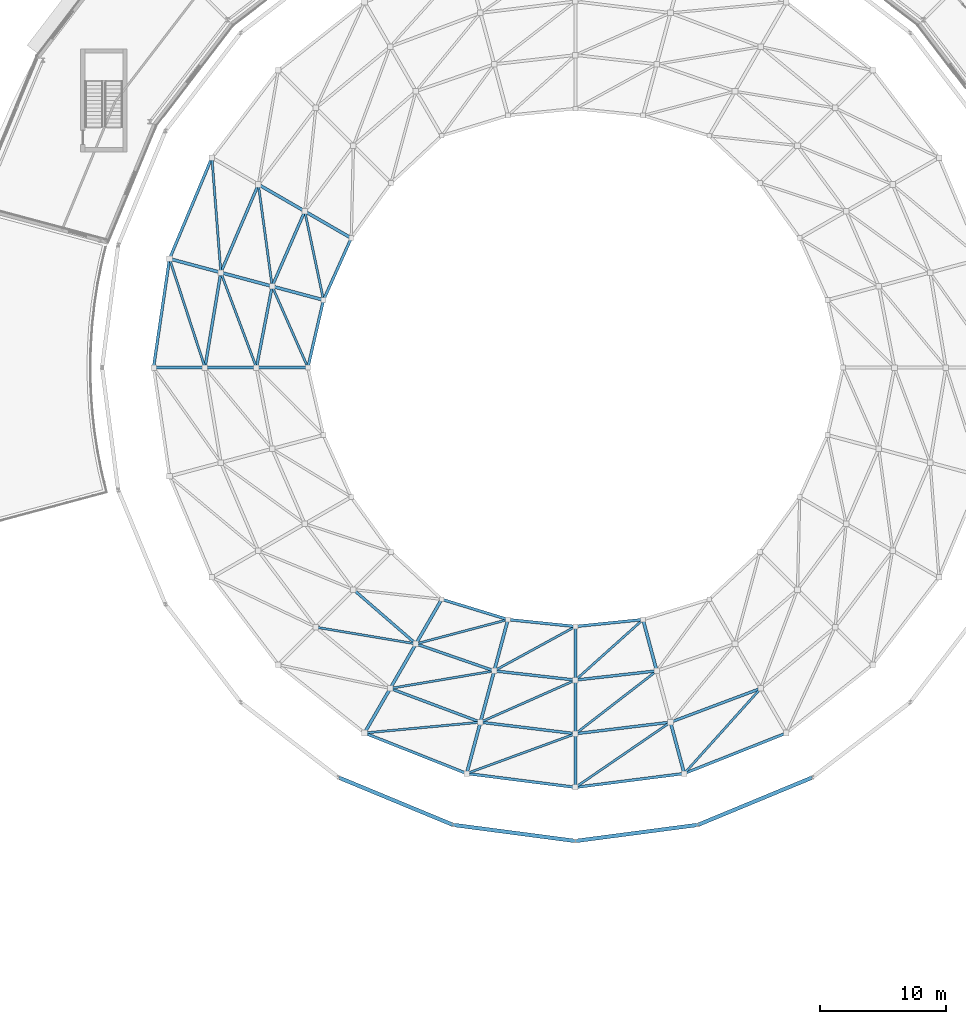
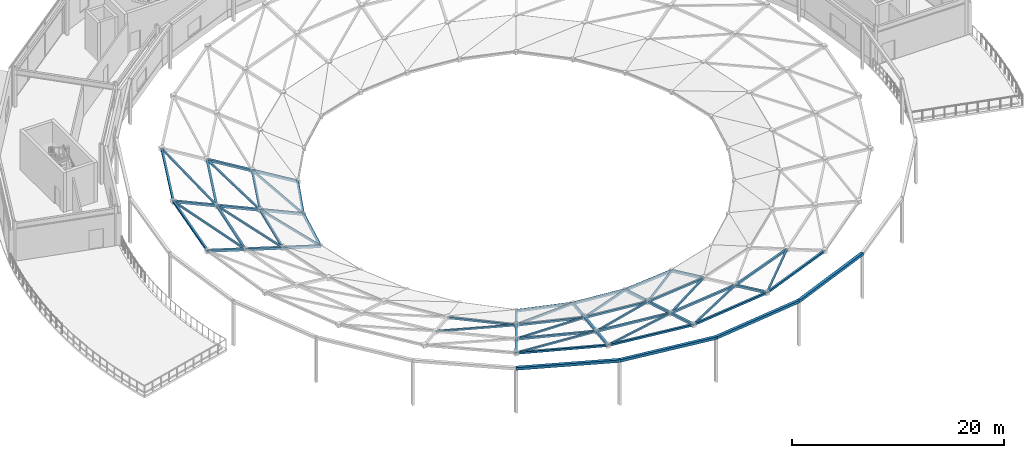
# One storey, part 16 of 89: 59 members, 4 beams.
"""IFC4 building model written with IfcOpenShell, lengths in metres."""

from ifc_helpers import new_model, si_unit, direction, frame, origin, origin_2d, place, context, subcontext, project, spatial, hollow_rectangle, extrude, material, material_profile, profile_set, type_object, element, save


model = new_model("IFC4")

# Units and contexts
model_context = context("Model", 3, precision=1e-05, world=origin(), true_north=direction((0.0, 1.0)))
body_context = subcontext(model_context, "Body", "Model", "MODEL_VIEW")
ifc_project = project(units=[si_unit("LENGTHUNIT", "METRE"), si_unit("AREAUNIT", "SQUARE_METRE"), si_unit("VOLUMEUNIT", "CUBIC_METRE"), si_unit("PLANEANGLEUNIT", "RADIAN"), si_unit("MASSUNIT", "GRAM", prefix="KILO")], contexts=[model_context])

# Site, building, storey
site_placement = place(None, origin())
site = spatial("IfcSite", under=ifc_project, at=site_placement, CompositionType="ELEMENT")
building_placement = place(site_placement, origin())
building = spatial("IfcBuilding", under=site, at=building_placement, Name="Almandine Court Research Institute", CompositionType="ELEMENT")
storey_placement = place(building_placement, frame((0.0, 0.0, 18.89990234375)))
storey = spatial("IfcBuildingStorey", under=building, at=storey_placement, Name="L04", CompositionType="ELEMENT", Elevation=18.89990234375)

# Beams
ifc_material = material(Name="Steel ASTM A500 Grade C", Category="steel")
ifc_material_profile_1 = material_profile(ifc_material, hollow_rectangle(XDim=0.300048828125, YDim=0.300048828125, WallThickness=0.011962890625, at=origin_2d()), Name="HSS 300x300x12")
ifc_profile_set_1 = profile_set([ifc_material_profile_1], Name="Steel ASTM A500 Grade C")
beam_type = type_object("IfcBeamType", Name="Beam-RB-01-E", PredefinedType="BEAM", material=ifc_profile_set_1)
beam_1_placement = place(storey_placement, frame((68.175048828125, 23.39404296875, 5.10009765625), z_axis=(0.92387967829, -0.382683080424, 0.0), x_axis=(0.382683080424, 0.92387967829, 0.0)))
element("IfcBeam", 1, at=beam_1_placement, inside=storey, type_object=beam_type, Name="Gridshell Outer Ring Beam ORB-17", PredefinedType="BEAM", context=body_context, shape_type="SweptSolid", body=[
    extrude(hollow_rectangle(XDim=0.300048828125, YDim=0.300048828125, WallThickness=0.011962890625, at=origin_2d()), origin(), (0.0, 0.0, 1.0), 9.827880859375),
])
for number, where, z_axis, x_axis, name in (
    (2, (77.2548828125, 19.633056640625, 5.10009765625), (0.991444993461, -0.130525188913, 0.0), (0.130525188913, 0.991444993461, 0.0), "Gridshell Outer Ring Beam ORB-18"),
    (3, (87.0, 18.35009765625, 5.10009765625), (0.991444993461, 0.130525188913, 0.0), (-0.130525188913, 0.991444993461, 0.0), "Gridshell Outer Ring Beam ORB-19"),
):
    element("IfcBeam", number, at=place(storey_placement, frame(where, z_axis=z_axis, x_axis=x_axis)), inside=storey, type_object=beam_type, Name=name, PredefinedType="BEAM", context=body_context, shape_type="SweptSolid", body=[
        extrude(hollow_rectangle(XDim=0.300048828125, YDim=0.300048828125, WallThickness=0.011962890625, at=origin_2d()), origin(), (0.0, 0.0, 1.0), 9.8291015625),
    ])
beam_2_placement = place(storey_placement, frame((96.7451171875, 19.633056640625, 5.10009765625), z_axis=(0.92387967829, 0.382683080424, 0.0), x_axis=(-0.382683080424, 0.92387967829, 0.0)))
element("IfcBeam", 4, at=beam_2_placement, inside=storey, type_object=beam_type, Name="Gridshell Outer Ring Beam ORB-20", PredefinedType="BEAM", context=body_context, shape_type="SweptSolid", body=[
    extrude(hollow_rectangle(XDim=0.300048828125, YDim=0.300048828125, WallThickness=0.011962890625, at=origin_2d()), origin(), (0.0, 0.0, 1.0), 9.827880859375),
])

# Members
ifc_material_profile_2 = material_profile(ifc_material, hollow_rectangle(XDim=0.25, YDim=0.25, WallThickness=0.010009765625, at=origin_2d()), Name="HSS 250x250x10")
ifc_profile_set_2 = profile_set([ifc_material_profile_2], Name="Steel ASTM A500 Grade C")
member_type_1 = type_object("IfcMemberType", Name="Mem-GS-AR1", PredefinedType="RAFTER", material=ifc_profile_set_2)
member_1_placement = place(storey_placement, frame((54.715087890625, 64.65087890625, 3.9931640625), z_axis=(0.925822235368, -0.248122573964, -0.285111165665), x_axis=(0.258866989029, 0.965912978478, 0.0)))
element("IfcMember", 5, at=member_1_placement, inside=storey, type_object=member_type_1, Name="Atrium Conical Gridshell Radial Rib R1-S11", PredefinedType="RAFTER", context=body_context, shape_type="SweptSolid", body=[
    extrude(hollow_rectangle(XDim=0.25, YDim=0.25, WallThickness=0.010009765625, at=origin_2d()), origin(), (0.0, 0.0, 1.0), 4.4091796875),
])
for number, where, z_axis, x_axis, name in (
    (6, (53.443115234375, 56.0, 3.9931640625), (0.955925607193, 0.0, -0.293608980639), (0.0, 1.0, 0.0), "Atrium Conical Gridshell Radial Rib R1-S12"),
    (7, (70.220947265625, 26.93896484375, 3.9931640625), (0.478141034543, 0.827751372383, -0.293613379471), (-0.865917322531, 0.500187155513, 0.0), "Atrium Conical Gridshell Radial Rib R1-S16"),
):
    element("IfcMember", number, at=place(storey_placement, frame(where, z_axis=z_axis, x_axis=x_axis)), inside=storey, type_object=member_type_1, Name=name, PredefinedType="RAFTER", context=body_context, shape_type="SweptSolid", body=[
        extrude(hollow_rectangle(XDim=0.25, YDim=0.25, WallThickness=0.010009765625, at=origin_2d()), origin(), (0.0, 0.0, 1.0), 4.281494140625),
    ])
member_2_placement = place(storey_placement, frame((78.34912109375, 23.715087890625, 3.9931640625), z_axis=(0.248122573964, 0.925822235368, -0.285111165665), x_axis=(-0.965912978478, 0.258866989029, 0.0)))
element("IfcMember", 8, at=member_2_placement, inside=storey, type_object=member_type_1, Name="Atrium Conical Gridshell Radial Rib R1-S17", PredefinedType="RAFTER", context=body_context, shape_type="SweptSolid", body=[
    extrude(hollow_rectangle(XDim=0.25, YDim=0.25, WallThickness=0.010009765625, at=origin_2d()), origin(), (0.0, 0.0, 1.0), 4.4091796875),
])
member_3_placement = place(storey_placement, frame((87.0, 22.614990234375, 3.9931640625), z_axis=(0.0, 0.959200962269, -0.282725156261), x_axis=(-1.0, 0.0, 0.0)))
element("IfcMember", 9, at=member_3_placement, inside=storey, type_object=member_type_1, Name="Atrium Conical Gridshell Radial Rib R1-S18", PredefinedType="RAFTER", context=body_context, shape_type="SweptSolid", body=[
    extrude(hollow_rectangle(XDim=0.25, YDim=0.25, WallThickness=0.010009765625, at=origin_2d()), origin(), (0.0, 0.0, 1.0), 4.4462890625),
])
member_4_placement = place(storey_placement, frame((95.65087890625, 23.715087890625, 3.9931640625), z_axis=(-0.248122573964, 0.925822235368, -0.285111165665), x_axis=(-0.965912978478, -0.258866989029, 0.0)))
element("IfcMember", 10, at=member_4_placement, inside=storey, type_object=member_type_1, Name="Atrium Conical Gridshell Radial Rib R1-S19", PredefinedType="RAFTER", context=body_context, shape_type="SweptSolid", body=[
    extrude(hollow_rectangle(XDim=0.25, YDim=0.25, WallThickness=0.010009765625, at=origin_2d()), origin(), (0.0, 0.0, 1.0), 4.4091796875),
])
member_5_placement = place(storey_placement, frame((61.781982421875, 70.56005859375, 2.736083984375), z_axis=(0.830610507345, -0.479741125317, -0.282727143671), x_axis=(0.500146931843, 0.865940556025, 0.0)))
element("IfcMember", 11, at=member_5_placement, inside=storey, type_object=member_type_1, Name="Atrium Conical Gridshell Radial Rib R2-S10", PredefinedType="RAFTER", context=body_context, shape_type="SweptSolid", body=[
    extrude(hollow_rectangle(XDim=0.25, YDim=0.25, WallThickness=0.010009765625, at=origin_2d()), origin(), (0.0, 0.0, 1.0), 4.4462890625),
])
member_6_placement = place(storey_placement, frame((58.797119140625, 63.556884765625, 2.736083984375), z_axis=(0.925782669721, -0.248186188634, -0.285184263619), x_axis=(0.258939233271, 0.965893613952, 0.0)))
element("IfcMember", 12, at=member_6_placement, inside=storey, type_object=member_type_1, Name="Atrium Conical Gridshell Radial Rib R2-S11", PredefinedType="RAFTER", context=body_context, shape_type="SweptSolid", body=[
    extrude(hollow_rectangle(XDim=0.25, YDim=0.25, WallThickness=0.010009765625, at=origin_2d()), origin(), (0.0, 0.0, 1.0), 4.407958984375),
])
for number, where, z_axis, x_axis, name in (
    (13, (57.535888671875, 56.0, 2.736083984375), (0.955930522489, 0.0, -0.293592977053), (0.0, 1.0, 0.0), "Atrium Conical Gridshell Radial Rib R2-S12"),
    (14, (72.26806640625, 30.48291015625, 2.736083984375), (0.477808253345, 0.827953895802, -0.293584092658), (-0.86612103393, 0.499834327136, 0.0), "Atrium Conical Gridshell Radial Rib R2-S16"),
):
    element("IfcMember", number, at=place(storey_placement, frame(where, z_axis=z_axis, x_axis=x_axis)), inside=storey, type_object=member_type_1, Name=name, PredefinedType="RAFTER", context=body_context, shape_type="SweptSolid", body=[
        extrude(hollow_rectangle(XDim=0.25, YDim=0.25, WallThickness=0.010009765625, at=origin_2d()), origin(), (0.0, 0.0, 1.0), 4.28173828125),
    ])
member_7_placement = place(storey_placement, frame((79.443115234375, 27.797119140625, 2.736083984375), z_axis=(0.248186188634, 0.925782669721, -0.285184263619), x_axis=(-0.965893613952, 0.258939233271, 0.0)))
element("IfcMember", 15, at=member_7_placement, inside=storey, type_object=member_type_1, Name="Atrium Conical Gridshell Radial Rib R2-S17", PredefinedType="RAFTER", context=body_context, shape_type="SweptSolid", body=[
    extrude(hollow_rectangle(XDim=0.25, YDim=0.25, WallThickness=0.010009765625, at=origin_2d()), origin(), (0.0, 0.0, 1.0), 4.407958984375),
])
for number, where, z_axis, x_axis, name in (
    (16, (87.0, 26.8798828125, 2.736083984375), (0.0, 0.959205350971, -0.282710266294), (-1.0, 0.0, 0.0), "Atrium Conical Gridshell Radial Rib R2-S18"),
    (17, (65.47509765625, 68.427001953125, 1.47900390625), (0.830710375587, -0.479484052214, -0.282869785527), (0.499900842016, 0.866082645105, 0.0), "Atrium Conical Gridshell Radial Rib R3-S10"),
):
    element("IfcMember", number, at=place(storey_placement, frame(where, z_axis=z_axis, x_axis=x_axis)), inside=storey, type_object=member_type_1, Name=name, PredefinedType="RAFTER", context=body_context, shape_type="SweptSolid", body=[
        extrude(hollow_rectangle(XDim=0.25, YDim=0.25, WallThickness=0.010009765625, at=origin_2d()), origin(), (0.0, 0.0, 1.0), 4.446533203125),
    ])
member_8_placement = place(storey_placement, frame((62.8779296875, 62.462890625, 1.47900390625), z_axis=(0.925841938996, -0.247850987975, -0.285283353451), x_axis=(0.258597465656, 0.965985171085, 0.0)))
element("IfcMember", 18, at=member_8_placement, inside=storey, type_object=member_type_1, Name="Atrium Conical Gridshell Radial Rib R3-S11", PredefinedType="RAFTER", context=body_context, shape_type="SweptSolid", body=[
    extrude(hollow_rectangle(XDim=0.25, YDim=0.25, WallThickness=0.010009765625, at=origin_2d()), origin(), (0.0, 0.0, 1.0), 4.408935546875),
])
member_9_placement = place(storey_placement, frame((61.62890625, 56.0, 1.47900390625), z_axis=(0.955862817896, 0.0, -0.293813330815), x_axis=(0.0, 1.0, 0.0)))
element("IfcMember", 19, at=member_9_placement, inside=storey, type_object=member_type_1, Name="Atrium Conical Gridshell Radial Rib R3-S12", PredefinedType="RAFTER", context=body_context, shape_type="SweptSolid", body=[
    extrude(hollow_rectangle(XDim=0.25, YDim=0.25, WallThickness=0.010009765625, at=origin_2d()), origin(), (0.0, 0.0, 1.0), 4.281005859375),
])
member_10_placement = place(storey_placement, frame((74.31396484375, 34.028076171875, 1.47900390625), z_axis=(0.478117013059, 0.827709786711, -0.293769690075), x_axis=(-0.865917322531, 0.500187155513, 0.0)))
element("IfcMember", 20, at=member_10_placement, inside=storey, type_object=member_type_1, Name="Atrium Conical Gridshell Radial Rib R3-S16", PredefinedType="RAFTER", context=body_context, shape_type="SweptSolid", body=[
    extrude(hollow_rectangle(XDim=0.25, YDim=0.25, WallThickness=0.010009765625, at=origin_2d()), origin(), (0.0, 0.0, 1.0), 4.28173828125),
])
member_11_placement = place(storey_placement, frame((80.537109375, 31.8779296875, 1.47900390625), z_axis=(0.247850987975, 0.925841938996, -0.285283353451), x_axis=(-0.965985171085, 0.258597465656, 0.0)))
element("IfcMember", 21, at=member_11_placement, inside=storey, type_object=member_type_1, Name="Atrium Conical Gridshell Radial Rib R3-S17", PredefinedType="RAFTER", context=body_context, shape_type="SweptSolid", body=[
    extrude(hollow_rectangle(XDim=0.25, YDim=0.25, WallThickness=0.010009765625, at=origin_2d()), origin(), (0.0, 0.0, 1.0), 4.408935546875),
])
member_12_placement = place(storey_placement, frame((87.0, 31.14501953125, 1.47900390625), z_axis=(0.0, 0.959156280225, -0.282876704775), x_axis=(-1.0, 0.0, 0.0)))
element("IfcMember", 22, at=member_12_placement, inside=storey, type_object=member_type_1, Name="Atrium Conical Gridshell Radial Rib R3-S18", PredefinedType="RAFTER", context=body_context, shape_type="SweptSolid", body=[
    extrude(hollow_rectangle(XDim=0.25, YDim=0.25, WallThickness=0.010009765625, at=origin_2d()), origin(), (0.0, 0.0, 1.0), 4.446533203125),
])
member_13_placement = place(storey_placement, frame((93.462890625, 31.8779296875, 1.47900390625), z_axis=(-0.247850987975, 0.925841938996, -0.285283353451), x_axis=(-0.965985171085, -0.258597465656, 0.0)))
element("IfcMember", 23, at=member_13_placement, inside=storey, type_object=member_type_1, Name="Atrium Conical Gridshell Radial Rib R3-S19", PredefinedType="RAFTER", context=body_context, shape_type="SweptSolid", body=[
    extrude(hollow_rectangle(XDim=0.25, YDim=0.25, WallThickness=0.010009765625, at=origin_2d()), origin(), (0.0, 0.0, 1.0), 4.408935546875),
])
ifc_material_profile_3 = material_profile(ifc_material, hollow_rectangle(XDim=0.179931640625, YDim=0.179931640625, WallThickness=0.008056640625, at=origin_2d()), Name="HSS 180x180x8")
ifc_profile_set_3 = profile_set([ifc_material_profile_3], Name="Steel ASTM A500 Grade C")
member_type_2 = type_object("IfcMemberType", Name="Mem-GS-BR1", PredefinedType="BRACE", material=ifc_profile_set_3)
member_14_placement = place(storey_placement, frame((58.087890625, 72.69189453125, 3.9931640625), z_axis=(0.076687175308, -0.98774665697, -0.13592504842), x_axis=(0.996999688176, 0.077405566832, 0.0)))
element("IfcMember", 24, at=member_14_placement, inside=storey, type_object=member_type_2, Name="Atrium Conical Gridshell Diagonal Brace R1-S10", PredefinedType="BRACE", context=body_context, shape_type="SweptSolid", body=[
    extrude(hollow_rectangle(XDim=0.179931640625, YDim=0.179931640625, WallThickness=0.008056640625, at=origin_2d()), origin(), (0.0, 0.0, 1.0), 9.248291015625),
])
member_15_placement = place(storey_placement, frame((54.715087890625, 64.65087890625, 3.9931640625), z_axis=(0.307090123161, -0.941789114081, -0.136853647581), x_axis=(0.950734309328, 0.310006891967, 0.0)))
element("IfcMember", 25, at=member_15_placement, inside=storey, type_object=member_type_2, Name="Atrium Conical Gridshell Diagonal Brace R1-S11", PredefinedType="BRACE", context=body_context, shape_type="SweptSolid", body=[
    extrude(hollow_rectangle(XDim=0.179931640625, YDim=0.179931640625, WallThickness=0.008056640625, at=origin_2d()), origin(), (0.0, 0.0, 1.0), 9.185546875),
])
member_16_placement = place(storey_placement, frame((70.220947265625, 26.93896484375, 3.9931640625), z_axis=(0.986652306257, 0.091811374398, -0.13449125655), x_axis=(-0.092653148604, 0.995698445341, 0.0)))
element("IfcMember", 26, at=member_16_placement, inside=storey, type_object=member_type_2, Name="Atrium Conical Gridshell Diagonal Brace R1-S16", PredefinedType="BRACE", context=body_context, shape_type="SweptSolid", body=[
    extrude(hollow_rectangle(XDim=0.179931640625, YDim=0.179931640625, WallThickness=0.008056640625, at=origin_2d()), origin(), (0.0, 0.0, 1.0), 9.346923828125),
])
member_17_placement = place(storey_placement, frame((78.34912109375, 23.715087890625, 3.9931640625), z_axis=(0.930503949318, 0.340410980838, -0.135213773072), x_axis=(-0.343566137995, 0.939128483661, 0.0)))
element("IfcMember", 27, at=member_17_placement, inside=storey, type_object=member_type_2, Name="Atrium Conical Gridshell Diagonal Brace R1-S17", PredefinedType="BRACE", context=body_context, shape_type="SweptSolid", body=[
    extrude(hollow_rectangle(XDim=0.179931640625, YDim=0.179931640625, WallThickness=0.008056640625, at=origin_2d()), origin(), (0.0, 0.0, 1.0), 9.296875),
])
member_18_placement = place(storey_placement, frame((87.0, 22.614990234375, 3.9931640625), z_axis=(0.817062137148, 0.560299839211, -0.135917453694), x_axis=(-0.565548031502, 0.824715359421, 0.0)))
element("IfcMember", 28, at=member_18_placement, inside=storey, type_object=member_type_2, Name="Atrium Conical Gridshell Diagonal Brace R1-S18", PredefinedType="BRACE", context=body_context, shape_type="SweptSolid", body=[
    extrude(hollow_rectangle(XDim=0.179931640625, YDim=0.179931640625, WallThickness=0.008056640625, at=origin_2d()), origin(), (0.0, 0.0, 1.0), 9.248779296875),
])
member_19_placement = place(storey_placement, frame((95.65087890625, 23.715087890625, 3.9931640625), z_axis=(0.662068876905, 0.736840024758, -0.136863363063), x_axis=(-0.743839603579, 0.668358170555, 0.0)))
element("IfcMember", 29, at=member_19_placement, inside=storey, type_object=member_type_2, Name="Atrium Conical Gridshell Diagonal Brace R1-S19", PredefinedType="BRACE", context=body_context, shape_type="SweptSolid", body=[
    extrude(hollow_rectangle(XDim=0.179931640625, YDim=0.179931640625, WallThickness=0.008056640625, at=origin_2d()), origin(), (0.0, 0.0, 1.0), 9.184814453125),
])
member_20_placement = place(storey_placement, frame((61.781982421875, 70.56005859375, 2.736083984375), z_axis=(0.132566795686, -0.979440932439, -0.152057569834), x_axis=(0.990964222824, 0.134126466751, 0.0)))
element("IfcMember", 30, at=member_20_placement, inside=storey, type_object=member_type_2, Name="Atrium Conical Gridshell Diagonal Brace R2-S10", PredefinedType="BRACE", context=body_context, shape_type="SweptSolid", body=[
    extrude(hollow_rectangle(XDim=0.179931640625, YDim=0.179931640625, WallThickness=0.008056640625, at=origin_2d()), origin(), (0.0, 0.0, 1.0), 8.26708984375),
])
member_21_placement = place(storey_placement, frame((58.797119140625, 63.556884765625, 2.736083984375), z_axis=(0.346719989129, -0.925254230839, -0.1539150982), x_axis=(0.936412449807, 0.350901302145, 0.0)))
element("IfcMember", 31, at=member_21_placement, inside=storey, type_object=member_type_2, Name="Atrium Conical Gridshell Diagonal Brace R2-S11", PredefinedType="BRACE", context=body_context, shape_type="SweptSolid", body=[
    extrude(hollow_rectangle(XDim=0.179931640625, YDim=0.179931640625, WallThickness=0.008056640625, at=origin_2d()), origin(), (0.0, 0.0, 1.0), 8.16748046875),
])
member_22_placement = place(storey_placement, frame((66.35400390625, 35.35400390625, 2.736083984375), z_axis=(0.974653522615, -0.162352572731, -0.153922555145), x_axis=(0.164310677027, 0.986408638149, 0.0)))
element("IfcMember", 32, at=member_22_placement, inside=storey, type_object=member_type_2, Name="Atrium Conical Gridshell Diagonal Brace R2-S15", PredefinedType="BRACE", context=body_context, shape_type="SweptSolid", body=[
    extrude(hollow_rectangle(XDim=0.179931640625, YDim=0.179931640625, WallThickness=0.008056640625, at=origin_2d()), origin(), (0.0, 0.0, 1.0), 8.1669921875),
])
member_23_placement = place(storey_placement, frame((72.26806640625, 30.48291015625, 2.736083984375), z_axis=(0.975170446211, 0.164515025971, -0.148247789417), x_axis=(-0.166353187444, 0.98606623359, 0.0)))
element("IfcMember", 33, at=member_23_placement, inside=storey, type_object=member_type_2, Name="Atrium Conical Gridshell Diagonal Brace R2-S16", PredefinedType="BRACE", context=body_context, shape_type="SweptSolid", body=[
    extrude(hollow_rectangle(XDim=0.179931640625, YDim=0.179931640625, WallThickness=0.008056640625, at=origin_2d()), origin(), (0.0, 0.0, 1.0), 8.4794921875),
])
member_24_placement = place(storey_placement, frame((79.443115234375, 27.797119140625, 2.736083984375), z_axis=(0.903897406332, 0.400450526057, -0.150362412212), x_axis=(-0.405055625831, 0.914292043049, 0.0)))
element("IfcMember", 34, at=member_24_placement, inside=storey, type_object=member_type_2, Name="Atrium Conical Gridshell Diagonal Brace R2-S17", PredefinedType="BRACE", context=body_context, shape_type="SweptSolid", body=[
    extrude(hollow_rectangle(XDim=0.179931640625, YDim=0.179931640625, WallThickness=0.008056640625, at=origin_2d()), origin(), (0.0, 0.0, 1.0), 8.3603515625),
])
member_25_placement = place(storey_placement, frame((87.0, 26.8798828125, 2.736083984375), z_axis=(0.781847620468, 0.60463827766, -0.152075151019), x_axis=(-0.611753624834, 0.791048356614, 0.0)))
element("IfcMember", 35, at=member_25_placement, inside=storey, type_object=member_type_2, Name="Atrium Conical Gridshell Diagonal Brace R2-S18", PredefinedType="BRACE", context=body_context, shape_type="SweptSolid", body=[
    extrude(hollow_rectangle(XDim=0.179931640625, YDim=0.179931640625, WallThickness=0.008056640625, at=origin_2d()), origin(), (0.0, 0.0, 1.0), 8.26611328125),
])
member_26_placement = place(storey_placement, frame((65.47509765625, 68.427001953125, 1.47900390625), z_axis=(0.202842350613, -0.964018109908, -0.171825680756), x_axis=(0.978572049779, 0.205904694923, 0.0)))
element("IfcMember", 36, at=member_26_placement, inside=storey, type_object=member_type_2, Name="Atrium Conical Gridshell Diagonal Brace R3-S10", PredefinedType="BRACE", context=body_context, shape_type="SweptSolid", body=[
    extrude(hollow_rectangle(XDim=0.179931640625, YDim=0.179931640625, WallThickness=0.008056640625, at=origin_2d()), origin(), (0.0, 0.0, 1.0), 7.3203125),
])
member_27_placement = place(storey_placement, frame((62.8779296875, 62.462890625, 1.47900390625), z_axis=(0.39641972319, -0.901161263399, -0.175384664137), x_axis=(0.915349189983, 0.402660974515, 0.0)))
element("IfcMember", 37, at=member_27_placement, inside=storey, type_object=member_type_2, Name="Atrium Conical Gridshell Diagonal Brace R3-S11", PredefinedType="BRACE", context=body_context, shape_type="SweptSolid", body=[
    extrude(hollow_rectangle(XDim=0.179931640625, YDim=0.179931640625, WallThickness=0.008056640625, at=origin_2d()), origin(), (0.0, 0.0, 1.0), 7.171630859375),
])
member_28_placement = place(storey_placement, frame((74.31396484375, 34.028076171875, 1.47900390625), z_axis=(0.95377039361, 0.251858276868, -0.163980012944), x_axis=(-0.255314297639, 0.966858112352, 0.0)))
element("IfcMember", 38, at=member_28_placement, inside=storey, type_object=member_type_2, Name="Atrium Conical Gridshell Diagonal Brace R3-S16", PredefinedType="BRACE", context=body_context, shape_type="SweptSolid", body=[
    extrude(hollow_rectangle(XDim=0.179931640625, YDim=0.179931640625, WallThickness=0.008056640625, at=origin_2d()), origin(), (0.0, 0.0, 1.0), 7.67041015625),
])
member_29_placement = place(storey_placement, frame((80.537109375, 31.8779296875, 1.47900390625), z_axis=(0.864985356707, 0.472716196566, -0.16834408272), x_axis=(-0.479560340704, 0.877508905724, 0.0)))
element("IfcMember", 39, at=member_29_placement, inside=storey, type_object=member_type_2, Name="Atrium Conical Gridshell Diagonal Brace R3-S17", PredefinedType="BRACE", context=body_context, shape_type="SweptSolid", body=[
    extrude(hollow_rectangle(XDim=0.179931640625, YDim=0.179931640625, WallThickness=0.008056640625, at=origin_2d()), origin(), (0.0, 0.0, 1.0), 7.4716796875),
])
member_30_placement = place(storey_placement, frame((87.0, 31.14501953125, 1.47900390625), z_axis=(0.7334753478, 0.657646881675, -0.171797826508), x_axis=(-0.667572192775, 0.744545074145, 0.0)))
element("IfcMember", 40, at=member_30_placement, inside=storey, type_object=member_type_2, Name="Atrium Conical Gridshell Diagonal Brace R3-S18", PredefinedType="BRACE", context=body_context, shape_type="SweptSolid", body=[
    extrude(hollow_rectangle(XDim=0.179931640625, YDim=0.179931640625, WallThickness=0.008056640625, at=origin_2d()), origin(), (0.0, 0.0, 1.0), 7.321533203125),
])
ifc_material_profile_4 = material_profile(ifc_material, hollow_rectangle(XDim=0.219970703125, YDim=0.219970703125, WallThickness=0.010009765625, at=origin_2d()), Name="HSS 220x220x10")
ifc_profile_set_4 = profile_set([ifc_material_profile_4], Name="Steel ASTM A500 Grade C")
member_type_3 = type_object("IfcMemberType", Name="Mem-GS-ST1", PredefinedType="COLLAR", material=ifc_profile_set_4)
member_31_placement = place(storey_placement, frame((58.087890625, 72.69189453125, 3.9931640625), z_axis=(-0.386801181098, -0.922163134321, 0.0), x_axis=(0.922163134321, -0.386801181098, 0.0)))
element("IfcMember", 41, at=member_31_placement, inside=storey, type_object=member_type_3, Name="Atrium Conical Gridshell Hoop Ring R1-S10", PredefinedType="COLLAR", context=body_context, shape_type="SweptSolid", body=[
    extrude(hollow_rectangle(XDim=0.219970703125, YDim=0.219970703125, WallThickness=0.010009765625, at=origin_2d()), origin(), (0.0, 0.0, 1.0), 8.7197265625),
])
member_32_placement = place(storey_placement, frame((54.715087890625, 64.65087890625, 3.9931640625), z_axis=(-0.145469875543, -0.989362681381, 0.0), x_axis=(0.989362681381, -0.145469875543, 0.0)))
element("IfcMember", 42, at=member_32_placement, inside=storey, type_object=member_type_3, Name="Atrium Conical Gridshell Hoop Ring R1-S11", PredefinedType="COLLAR", context=body_context, shape_type="SweptSolid", body=[
    extrude(hollow_rectangle(XDim=0.219970703125, YDim=0.219970703125, WallThickness=0.010009765625, at=origin_2d()), origin(), (0.0, 0.0, 1.0), 8.743896484375),
])
member_33_placement = place(storey_placement, frame((70.220947265625, 26.93896484375, 3.9931640625), z_axis=(0.929552993043, -0.368688531317, 0.0), x_axis=(0.368688531317, 0.929552993043, 0.0)))
element("IfcMember", 43, at=member_33_placement, inside=storey, type_object=member_type_3, Name="Atrium Conical Gridshell Hoop Ring R1-S16", PredefinedType="COLLAR", context=body_context, shape_type="SweptSolid", body=[
    extrude(hollow_rectangle(XDim=0.219970703125, YDim=0.219970703125, WallThickness=0.010009765625, at=origin_2d()), origin(), (0.0, 0.0, 1.0), 8.744140625),
])
for number, where, z_axis, x_axis, name in (
    (44, (78.34912109375, 23.715087890625, 3.9931640625), (0.992011166569, -0.126150090776, 0.0), (0.126150090776, 0.992011166569, 0.0), "Atrium Conical Gridshell Hoop Ring R1-S17"),
    (45, (87.0, 22.614990234375, 3.9931640625), (0.992011166569, 0.126150090776, 0.0), (-0.126150090776, 0.992011166569, 0.0), "Atrium Conical Gridshell Hoop Ring R1-S18"),
):
    element("IfcMember", number, at=place(storey_placement, frame(where, z_axis=z_axis, x_axis=x_axis)), inside=storey, type_object=member_type_3, Name=name, PredefinedType="COLLAR", context=body_context, shape_type="SweptSolid", body=[
        extrude(hollow_rectangle(XDim=0.219970703125, YDim=0.219970703125, WallThickness=0.010009765625, at=origin_2d()), origin(), (0.0, 0.0, 1.0), 8.720458984375),
    ])
member_34_placement = place(storey_placement, frame((95.65087890625, 23.715087890625, 3.9931640625), z_axis=(0.929552993043, 0.368688531317, 0.0), x_axis=(-0.368688531317, 0.929552993043, 0.0)))
element("IfcMember", 46, at=member_34_placement, inside=storey, type_object=member_type_3, Name="Atrium Conical Gridshell Hoop Ring R1-S19", PredefinedType="COLLAR", context=body_context, shape_type="SweptSolid", body=[
    extrude(hollow_rectangle(XDim=0.219970703125, YDim=0.219970703125, WallThickness=0.010009765625, at=origin_2d()), origin(), (0.0, 0.0, 1.0), 8.744140625),
])
member_35_placement = place(storey_placement, frame((61.781982421875, 70.56005859375, 2.736083984375), z_axis=(-0.392087762798, -0.91992781579, 0.0), x_axis=(0.91992781579, -0.392087762798, 0.0)))
element("IfcMember", 47, at=member_35_placement, inside=storey, type_object=member_type_3, Name="Atrium Conical Gridshell Hoop Ring R2-S10", PredefinedType="COLLAR", context=body_context, shape_type="SweptSolid", body=[
    extrude(hollow_rectangle(XDim=0.219970703125, YDim=0.219970703125, WallThickness=0.010009765625, at=origin_2d()), origin(), (0.0, 0.0, 1.0), 7.61279296875),
])
member_36_placement = place(storey_placement, frame((58.797119140625, 63.556884765625, 2.736083984375), z_axis=(-0.164621185821, -0.986356865023, 0.0), x_axis=(0.986356865023, -0.164621185821, 0.0)))
element("IfcMember", 48, at=member_36_placement, inside=storey, type_object=member_type_3, Name="Atrium Conical Gridshell Hoop Ring R2-S11", PredefinedType="COLLAR", context=body_context, shape_type="SweptSolid", body=[
    extrude(hollow_rectangle(XDim=0.219970703125, YDim=0.219970703125, WallThickness=0.010009765625, at=origin_2d()), origin(), (0.0, 0.0, 1.0), 7.661376953125),
])
member_37_placement = place(storey_placement, frame((72.26806640625, 30.48291015625, 2.736083984375), z_axis=(0.936537239309, -0.350568109484, 0.0), x_axis=(0.350568109484, 0.936537239309, 0.0)))
element("IfcMember", 49, at=member_37_placement, inside=storey, type_object=member_type_3, Name="Atrium Conical Gridshell Hoop Ring R2-S16", PredefinedType="COLLAR", context=body_context, shape_type="SweptSolid", body=[
    extrude(hollow_rectangle(XDim=0.219970703125, YDim=0.219970703125, WallThickness=0.010009765625, at=origin_2d()), origin(), (0.0, 0.0, 1.0), 7.6611328125),
])
for number, where, z_axis, x_axis, name in (
    (50, (79.443115234375, 27.797119140625, 2.736083984375), (0.992714148527, -0.120493233483, 0.0), (0.120493233483, 0.992714148527, 0.0), "Atrium Conical Gridshell Hoop Ring R2-S17"),
    (51, (87.0, 26.8798828125, 2.736083984375), (0.992714148527, 0.120493233483, 0.0), (-0.120493233483, 0.992714148527, 0.0), "Atrium Conical Gridshell Hoop Ring R2-S18"),
):
    element("IfcMember", number, at=place(storey_placement, frame(where, z_axis=z_axis, x_axis=x_axis)), inside=storey, type_object=member_type_3, Name=name, PredefinedType="COLLAR", context=body_context, shape_type="SweptSolid", body=[
        extrude(hollow_rectangle(XDim=0.219970703125, YDim=0.219970703125, WallThickness=0.010009765625, at=origin_2d()), origin(), (0.0, 0.0, 1.0), 7.6123046875),
    ])
member_38_placement = place(storey_placement, frame((94.556884765625, 27.797119140625, 2.736083984375), z_axis=(0.936537239309, 0.350568109484, 0.0), x_axis=(-0.350568109484, 0.936537239309, 0.0)))
element("IfcMember", 52, at=member_38_placement, inside=storey, type_object=member_type_3, Name="Atrium Conical Gridshell Hoop Ring R2-S19", PredefinedType="COLLAR", context=body_context, shape_type="SweptSolid", body=[
    extrude(hollow_rectangle(XDim=0.219970703125, YDim=0.219970703125, WallThickness=0.010009765625, at=origin_2d()), origin(), (0.0, 0.0, 1.0), 7.6611328125),
])
member_39_placement = place(storey_placement, frame((65.47509765625, 68.427001953125, 1.47900390625), z_axis=(-0.399253028635, -0.916840781775, 0.0), x_axis=(0.916840781775, -0.399253028635, 0.0)))
element("IfcMember", 53, at=member_39_placement, inside=storey, type_object=member_type_3, Name="Atrium Conical Gridshell Hoop Ring R3-S10", PredefinedType="COLLAR", context=body_context, shape_type="SweptSolid", body=[
    extrude(hollow_rectangle(XDim=0.219970703125, YDim=0.219970703125, WallThickness=0.010009765625, at=origin_2d()), origin(), (0.0, 0.0, 1.0), 6.505126953125),
])
for number, where, z_axis, x_axis, name in (
    (54, (62.8779296875, 62.462890625, 1.47900390625), (-0.189749736202, -0.981832489588, 0.0), (0.981832489588, -0.189749736202, 0.0), "Atrium Conical Gridshell Hoop Ring R3-S11"),
    (55, (69.342041015625, 38.342041015625, 1.47900390625), (0.755315717583, -0.655361096474, 0.0), (0.655361096474, 0.755315717583, 0.0), "Atrium Conical Gridshell Hoop Ring R3-S15"),
):
    element("IfcMember", number, at=place(storey_placement, frame(where, z_axis=z_axis, x_axis=x_axis)), inside=storey, type_object=member_type_3, Name=name, PredefinedType="COLLAR", context=body_context, shape_type="SweptSolid", body=[
        extrude(hollow_rectangle(XDim=0.219970703125, YDim=0.219970703125, WallThickness=0.010009765625, at=origin_2d()), origin(), (0.0, 0.0, 1.0), 6.58251953125),
    ])
member_40_placement = place(storey_placement, frame((74.31396484375, 34.028076171875, 1.47900390625), z_axis=(0.945174599161, -0.326565425453, 0.0), x_axis=(0.326565425453, 0.945174599161, 0.0)))
element("IfcMember", 56, at=member_40_placement, inside=storey, type_object=member_type_3, Name="Atrium Conical Gridshell Hoop Ring R3-S16", PredefinedType="COLLAR", context=body_context, shape_type="SweptSolid", body=[
    extrude(hollow_rectangle(XDim=0.219970703125, YDim=0.219970703125, WallThickness=0.010009765625, at=origin_2d()), origin(), (0.0, 0.0, 1.0), 6.584228515625),
])
for number, where, z_axis, x_axis, name in (
    (57, (80.537109375, 31.8779296875, 1.47900390625), (0.993631259919, -0.11268060752, 0.0), (0.11268060752, 0.993631259919, 0.0), "Atrium Conical Gridshell Hoop Ring R3-S17"),
    (58, (87.0, 31.14501953125, 1.47900390625), (0.993631259919, 0.11268060752, 0.0), (-0.11268060752, 0.993631259919, 0.0), "Atrium Conical Gridshell Hoop Ring R3-S18"),
):
    element("IfcMember", number, at=place(storey_placement, frame(where, z_axis=z_axis, x_axis=x_axis)), inside=storey, type_object=member_type_3, Name=name, PredefinedType="COLLAR", context=body_context, shape_type="SweptSolid", body=[
        extrude(hollow_rectangle(XDim=0.219970703125, YDim=0.219970703125, WallThickness=0.010009765625, at=origin_2d()), origin(), (0.0, 0.0, 1.0), 6.50439453125),
    ])
member_41_placement = place(storey_placement, frame((69.1689453125, 66.294921875, 0.22119140625), z_axis=(-0.409258497227, -0.912418479892, 0.0), x_axis=(0.912418479892, -0.409258497227, 0.0)))
element("IfcMember", 59, at=member_41_placement, inside=storey, type_object=member_type_3, Name="Atrium Conical Gridshell Hoop Ring R4-S10", PredefinedType="COLLAR", context=body_context, shape_type="SweptSolid", body=[
    extrude(hollow_rectangle(XDim=0.219970703125, YDim=0.219970703125, WallThickness=0.010009765625, at=origin_2d()), origin(), (0.0, 0.0, 1.0), 5.3974609375),
])
member_42_placement = place(storey_placement, frame((66.9599609375, 61.3701171875, 0.22119140625), z_axis=(-0.224817447322, -0.974400900749, 0.0), x_axis=(0.974400900749, -0.224817447322, 0.0)))
element("IfcMember", 60, at=member_42_placement, inside=storey, type_object=member_type_3, Name="Atrium Conical Gridshell Hoop Ring R4-S11", PredefinedType="COLLAR", context=body_context, shape_type="SweptSolid", body=[
    extrude(hollow_rectangle(XDim=0.219970703125, YDim=0.219970703125, WallThickness=0.010009765625, at=origin_2d()), origin(), (0.0, 0.0, 1.0), 5.51123046875),
])
member_43_placement = place(storey_placement, frame((76.361083984375, 37.572021484375, 0.22119140625), z_axis=(0.956242466302, -0.292575367453, 0.0), x_axis=(0.292575367453, 0.956242466302, 0.0)))
element("IfcMember", 61, at=member_43_placement, inside=storey, type_object=member_type_3, Name="Atrium Conical Gridshell Hoop Ring R4-S16", PredefinedType="COLLAR", context=body_context, shape_type="SweptSolid", body=[
    extrude(hollow_rectangle(XDim=0.219970703125, YDim=0.219970703125, WallThickness=0.010009765625, at=origin_2d()), origin(), (0.0, 0.0, 1.0), 5.510009765625),
])
for number, where, z_axis, x_axis, name in (
    (62, (81.6298828125, 35.9599609375, 0.22119140625), (0.994795200438, -0.101894598408, 0.0), (0.101894598408, 0.994795200438, 0.0), "Atrium Conical Gridshell Hoop Ring R4-S17"),
    (63, (87.0, 35.409912109375, 0.22119140625), (0.994795200438, 0.101894598408, 0.0), (-0.101894598408, 0.994795200438, 0.0), "Atrium Conical Gridshell Hoop Ring R4-S18"),
):
    element("IfcMember", number, at=place(storey_placement, frame(where, z_axis=z_axis, x_axis=x_axis)), inside=storey, type_object=member_type_3, Name=name, PredefinedType="COLLAR", context=body_context, shape_type="SweptSolid", body=[
        extrude(hollow_rectangle(XDim=0.219970703125, YDim=0.219970703125, WallThickness=0.010009765625, at=origin_2d()), origin(), (0.0, 0.0, 1.0), 5.398193359375),
    ])

save(model, "model.ifc")
